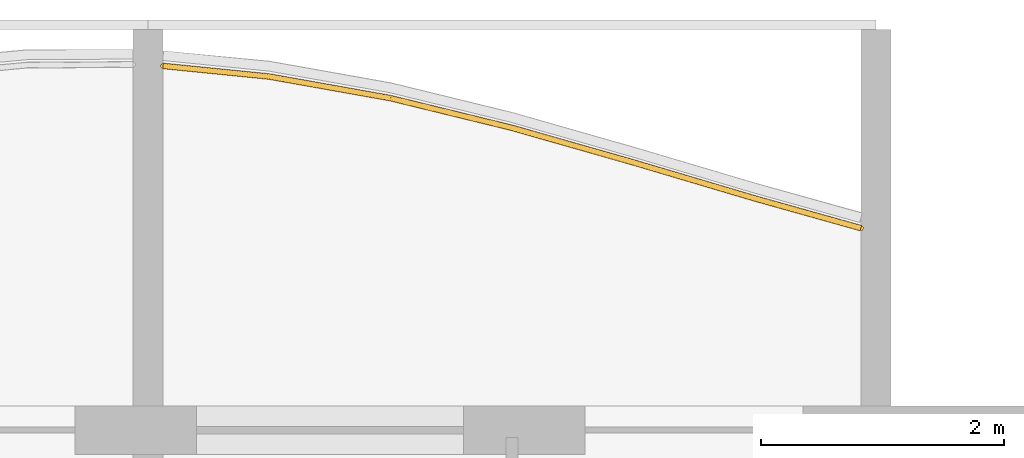
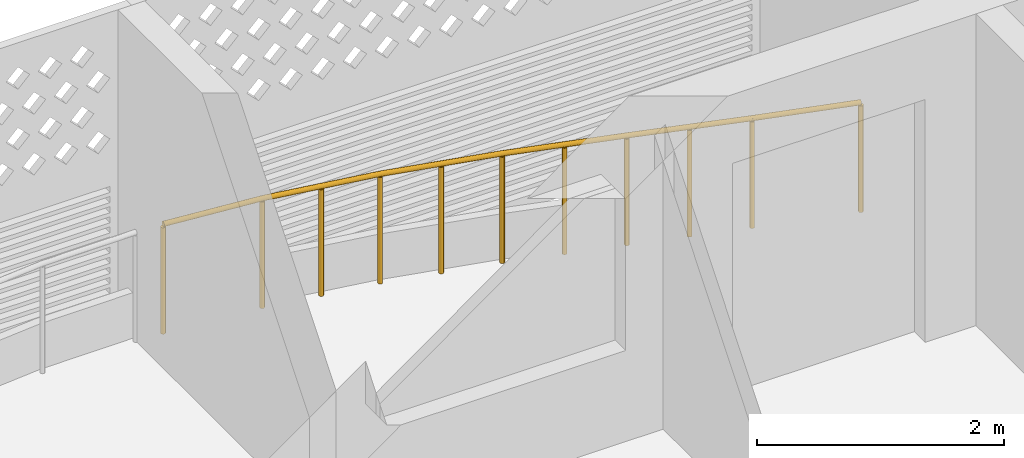
# One storey, part 28 of 29: 1 railing.
"""IFC4 building model written with IfcOpenShell, lengths in metres."""

from ifc_helpers import new_model, si_unit, direction, frame, origin, origin_2d, place, context, subcontext, project, spatial, circle, extrude, material, type_object, element, save


model = new_model("IFC4")

# Units and contexts
model_context = context("Model", 3, precision=1e-05, world=origin(), true_north=direction((0.0, 1.0)))
body_context = subcontext(model_context, "Body", "Model", "MODEL_VIEW")
ifc_project = project(units=[si_unit("LENGTHUNIT", "METRE"), si_unit("AREAUNIT", "SQUARE_METRE"), si_unit("VOLUMEUNIT", "CUBIC_METRE"), si_unit("PLANEANGLEUNIT", "RADIAN"), si_unit("MASSUNIT", "GRAM", prefix="KILO")], contexts=[model_context])

# Site, building, storey
site_placement = place(None, origin())
site = spatial("IfcSite", under=ifc_project, at=site_placement, CompositionType="ELEMENT")
building_placement = place(site_placement, origin())
building = spatial("IfcBuilding", under=site, at=building_placement, Name="Poui Terraces", CompositionType="ELEMENT")
storey_placement = place(building_placement, frame((0.0, 0.0, 231.300048828125)))
storey = spatial("IfcBuildingStorey", under=building, at=storey_placement, Name="L64", CompositionType="ELEMENT", Elevation=231.300048828125)

# Railing
ifc_material = material(Name="Painted steel fretwork", Category="steel")
railing_type = type_object("IfcRailingType", Name="BALCONY GUARD 1100", PredefinedType="GUARDRAIL", material=ifc_material)
railing_placement = place(storey_placement, frame((72.125, 44.201416015625, 0.0)))
element("IfcRailing", 1, at=railing_placement, inside=storey, type_object=railing_type, Name="BALCONY GUARD", PredefinedType="GUARDRAIL", context=body_context, shape_type="SweptSolid", body=[
    extrude(circle(Radius=0.02392578125, at=origin_2d()), frame((0.0, 0.0, 1.076171875), z_axis=(0.995048179628, -0.099393763478, 0.0), x_axis=(0.099393763478, 0.995048179628, 0.0)), (0.0, 0.0, 1.0), 0.87939453125),
    extrude(circle(Radius=0.02392578125, at=origin_2d()), frame((0.875, -0.08740234375, 1.076171875), z_axis=(0.984486939112, -0.175457877332, 0.0), x_axis=(0.175457877332, 0.984486939112, 0.0)), (0.0, 0.0, 1.0), 1.015869140625),
    extrude(circle(Radius=0.02392578125, at=origin_2d()), frame((1.875, -0.265625, 1.076171875), z_axis=(0.971412377048, -0.23739838609, 0.0), x_axis=(0.23739838609, 0.971412377048, 0.0)), (0.0, 0.0, 1.0), 1.029541015625),
    extrude(circle(Radius=0.02392578125, at=origin_2d()), frame((2.875, -0.510009765625, 1.076171875), z_axis=(0.961727468954, -0.274007801823, 0.0), x_axis=(0.274007801823, 0.961727468954, 0.0)), (0.0, 0.0, 1.0), 1.039794921875),
    extrude(circle(Radius=0.02392578125, at=origin_2d()), frame((3.875, -0.794921875, 1.076171875), z_axis=(0.958774495191, -0.284168026651, 0.0), x_axis=(0.284168026651, 0.958774495191, 0.0)), (0.0, 0.0, 1.0), 1.04296875),
    extrude(circle(Radius=0.02392578125, at=origin_2d()), frame((4.875, -1.09130859375, 1.076171875), z_axis=(0.962930527594, -0.269749511636, 0.0), x_axis=(0.269749511636, 0.962930527594, 0.0)), (0.0, 0.0, 1.0), 0.90869140625),
    extrude(circle(Radius=0.02099609375, at=origin_2d()), origin(), (0.0, 0.0, 1.0), 1.052001953125),
    extrude(circle(Radius=0.02099609375, at=origin_2d()), frame((0.875, -0.08740234375, 0.0)), (0.0, 0.0, 1.0), 1.052001953125),
    extrude(circle(Radius=0.02099609375, at=origin_2d()), frame((1.375, -0.176513671875, 0.0)), (0.0, 0.0, 1.0), 1.052001953125),
    extrude(circle(Radius=0.02099609375, at=origin_2d()), frame((1.875, -0.265625, 0.0)), (0.0, 0.0, 1.0), 1.052001953125),
    extrude(circle(Radius=0.02099609375, at=origin_2d()), frame((2.375, -0.3876953125, 0.0)), (0.0, 0.0, 1.0), 1.052001953125),
    extrude(circle(Radius=0.02099609375, at=origin_2d()), frame((2.875, -0.510009765625, 0.0)), (0.0, 0.0, 1.0), 1.052001953125),
    extrude(circle(Radius=0.02099609375, at=origin_2d()), frame((3.375, -0.65234375, 0.0)), (0.0, 0.0, 1.0), 1.052001953125),
    extrude(circle(Radius=0.02099609375, at=origin_2d()), frame((3.875, -0.794921875, 0.0)), (0.0, 0.0, 1.0), 1.052001953125),
    extrude(circle(Radius=0.02099609375, at=origin_2d()), frame((4.375, -0.943115234375, 0.0)), (0.0, 0.0, 1.0), 1.052001953125),
    extrude(circle(Radius=0.02099609375, at=origin_2d()), frame((4.875, -1.09130859375, 0.0)), (0.0, 0.0, 1.0), 1.052001953125),
    extrude(circle(Radius=0.02099609375, at=origin_2d()), frame((5.75, -1.33642578125, 0.0)), (0.0, 0.0, 1.0), 1.052001953125),
])

save(model, "model.ifc")
